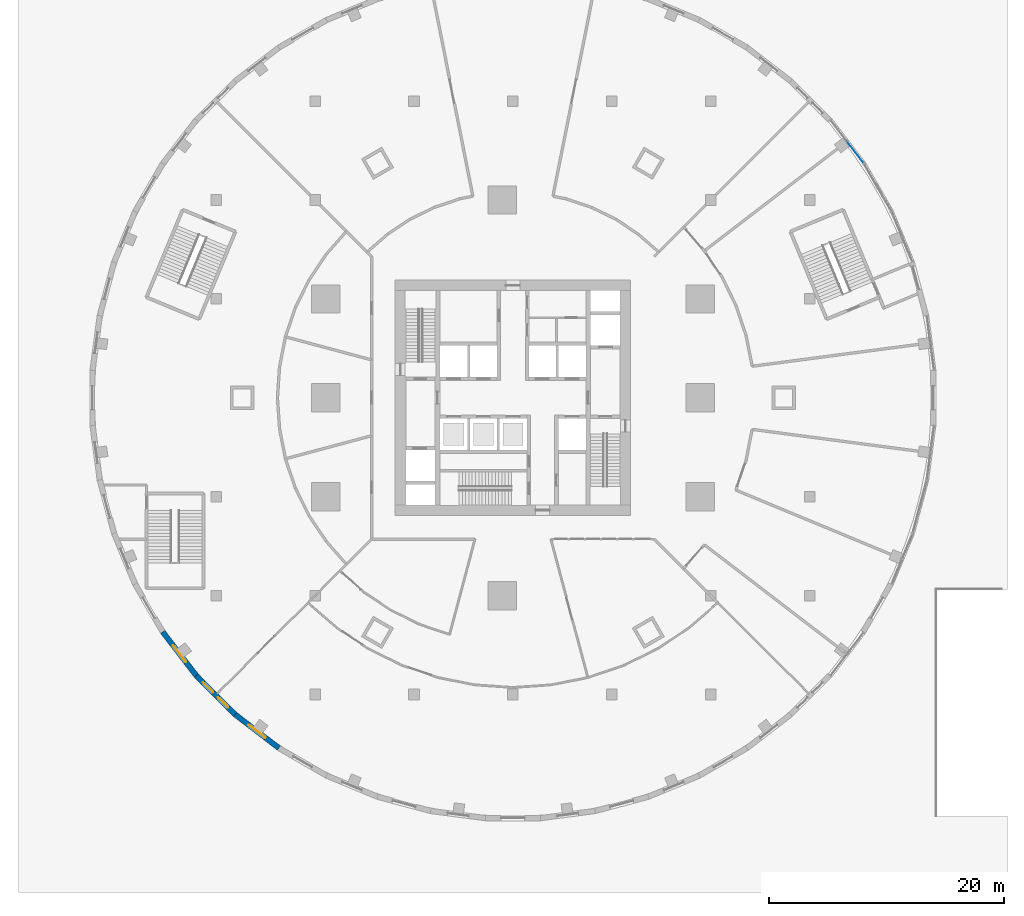
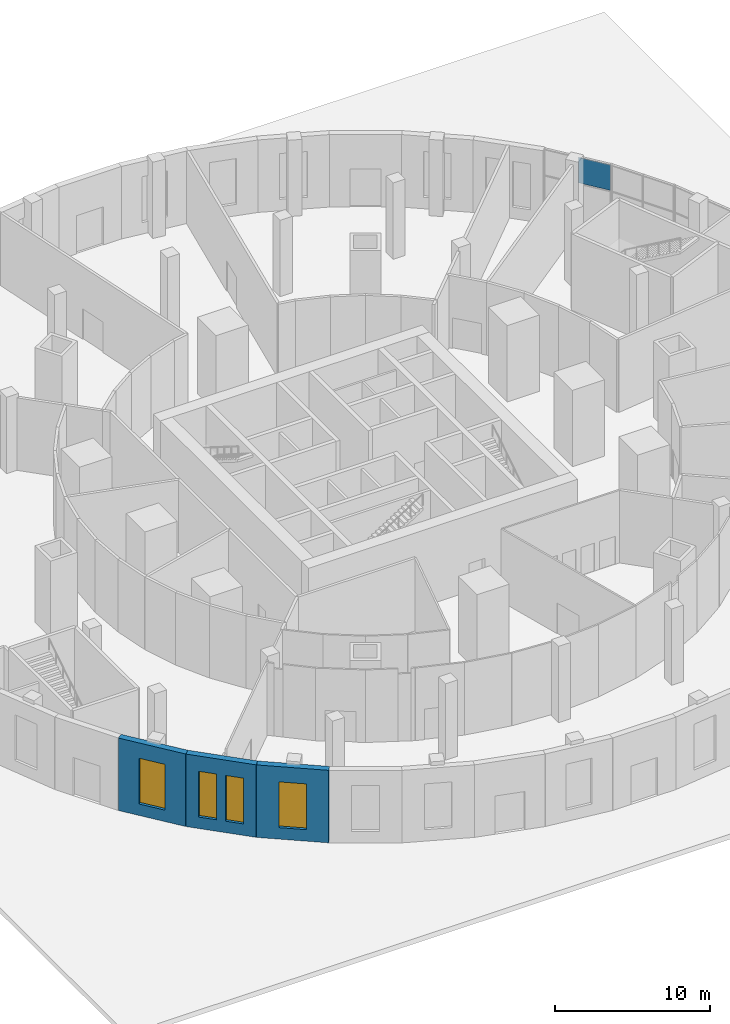
# One storey, part 7 of 19: 4 windows, 3 walls, 1 plate, 4 openings, 1 element without a shape of its own.
"""IFC4 building model written with IfcOpenShell, lengths in metres."""

from ifc_helpers import new_model, si_unit, direction, frame, frame_2d, origin, origin_2d, place, context, subcontext, project, spatial, rectangle, extrude, material, layer, layer_set, type_object, element, fill, aggregate, save


model = new_model("IFC4")

# Units and contexts
model_context = context("Model", 3, precision=1e-05, world=origin(), true_north=direction((0.0, 1.0)))
body_context = subcontext(model_context, "Body", "Model", "MODEL_VIEW")
ifc_project = project(units=[si_unit("LENGTHUNIT", "METRE"), si_unit("AREAUNIT", "SQUARE_METRE"), si_unit("VOLUMEUNIT", "CUBIC_METRE"), si_unit("PLANEANGLEUNIT", "RADIAN"), si_unit("MASSUNIT", "GRAM", prefix="KILO")], contexts=[model_context])

# Site, building, storey
site_placement = place(None, origin())
site = spatial("IfcSite", under=ifc_project, at=site_placement, CompositionType="ELEMENT")
building_placement = place(site_placement, origin())
building = spatial("IfcBuilding", under=site, at=building_placement, Name="Golbaran Civic Tower", CompositionType="ELEMENT")
storey_placement = place(building_placement, origin())
storey = spatial("IfcBuildingStorey", under=building, at=storey_placement, Name="L00", CompositionType="ELEMENT", Elevation=0.0)

# Curtain wall, plate
ifc_material_1 = material(Name="Aluminium and glass", Category="aluminium")
curtain_wall_type = type_object("IfcCurtainWallType", Name="PODIUM GLAZED SCREEN", PredefinedType="NOTDEFINED", material=ifc_material_1)
curtain_wall_placement = place(storey_placement, origin())
curtain_wall = element("IfcCurtainWall", 1, at=curtain_wall_placement, inside=storey, type_object=curtain_wall_type, Name="Public service hall screen facet 5 CW5", ObjectType="PODIUM SCREEN", PredefinedType="USERDEFINED")
ifc_material_2 = material(Name="Clear insulating glass", Category="glass")
ifc_layer_1 = layer(ifc_material_2, 0.031982421875, Name="Clear insulating glass")
ifc_layer_set_1 = layer_set([ifc_layer_1], Name="Clear insulating glass")
plate_type = type_object("IfcPlateType", Name="PODIUM GLAZED SCREEN GLAZED PANEL", PredefinedType="CURTAIN_PANEL", material=ifc_layer_set_1)
plate_placement = place(storey_placement, frame((29.072998046875, 20.853515625, 3.635009765625), z_axis=(0.0, 0.0, 1.0), x_axis=(-0.608761429078, 0.793353340238, 0.0)))
plate = element("IfcPlate", 2, at=plate_placement, type_object=plate_type, Name="CW5 panel 1.2", PredefinedType="CURTAIN_PANEL", context=body_context, shape_type="SweptSolid", body=[
    extrude(rectangle(XDim=2.23876953125, YDim=0.031982421875, at=origin_2d()), origin(), (0.0, 0.0, 1.0), 1.9951171875),
])
aggregate(curtain_wall, [plate])

# Wall, opening, window
ifc_material_3 = material(Name="Terracotta brick", Category="masonry")
ifc_layer_2 = layer(ifc_material_3, 0.449951171875, Name="Terracotta brick")
ifc_layer_set_2 = layer_set([ifc_layer_2], Name="Terracotta brick")
wall_type = type_object("IfcWallType", Name="TERRACOTTA BRICK FACADE WALL 450", PredefinedType="SOLIDWALL", material=ifc_layer_set_2)
wall_1_placement = place(storey_placement, frame((-29.745849609375, -19.87548828125, 0.0), z_axis=(0.0, 0.0, 1.0), x_axis=(0.608769916927, -0.79334682721, 0.0)))
wall_1 = element("IfcWall", 3, at=wall_1_placement, inside=storey, type_object=wall_type, Name="Podium wall L00 facet 29", PredefinedType="SOLIDWALL", context=body_context, shape_type="SweptSolid", body=[
    extrude(rectangle(XDim=4.6796875, YDim=0.449951171875, at=frame_2d((2.33984375, 0.0))), origin(), (0.0, 0.0, 1.0), 5.699951171875),
])
opening_1_placement = place(wall_1_placement, frame((1.439697265625, 0.0, 0.89990234375)))
opening_1 = element("IfcOpeningElement", 4, at=opening_1_placement, cuts=wall_1, Name="Opening L00.W19", PredefinedType="OPENING", context=body_context, shape_type="SweptSolid", body=[
    extrude(rectangle(XDim=1.800048828125, YDim=3.60009765625, at=frame_2d((0.89990234375, 1.800048828125))), frame((0.0, 0.23486328125, 0.0), z_axis=(0.0, -1.0, 0.0), x_axis=(1.0, 0.0, 0.0)), (0.0, 0.0, 1.0), 0.469970703125),
])
ifc_material_4 = material(Name="Aluminium frame, clear glass", Category="aluminium")
window_type_1 = type_object("IfcWindowType", Name="PODIUM WINDOW 1800x3600", PartitioningType="SINGLE_PANEL", PredefinedType="WINDOW", material=ifc_material_4)
window_1_placement = place(opening_1_placement, origin())
window_1 = element("IfcWindow", 5, at=window_1_placement, inside=storey, type_object=window_type_1, Name="Podium window L00 facet 29", OverallHeight=3.60009765625, OverallWidth=1.800048828125, PartitioningType="SINGLE_PANEL", PredefinedType="WINDOW", context=body_context, shape_type="SweptSolid", body=[
    extrude(rectangle(XDim=1.800048828125, YDim=3.60009765625, at=frame_2d((0.89990234375, 1.800048828125))), frame((0.0, 0.030029296875, 0.0), z_axis=(0.0, -1.0, 0.0), x_axis=(1.0, 0.0, 0.0)), (0.0, 0.0, 1.0), 0.06005859375),
])
fill(opening_1, window_1)

# Wall, openings, windows
wall_2_placement = place(storey_placement, frame((-26.89697265625, -23.588134765625, 0.0), z_axis=(0.0, 0.0, 1.0), x_axis=(0.707106781187, -0.707106781187, 0.0)))
wall_2 = element("IfcWall", 6, at=wall_2_placement, inside=storey, type_object=wall_type, Name="Podium wall L00 facet 30", PredefinedType="SOLIDWALL", context=body_context, shape_type="SweptSolid", body=[
    extrude(rectangle(XDim=4.679443359375, YDim=0.449951171875, at=frame_2d((2.33984375, 0.0))), origin(), (0.0, 0.0, 1.0), 5.699951171875),
])
opening_2_placement = place(wall_2_placement, frame((0.840087890625, 0.0, 0.89990234375)))
opening_2 = element("IfcOpeningElement", 7, at=opening_2_placement, cuts=wall_2, Name="Opening L00.W20", PredefinedType="OPENING", context=body_context, shape_type="SweptSolid", body=[
    extrude(rectangle(XDim=1.199951171875, YDim=3.60009765625, at=frame_2d((0.60009765625, 1.800048828125))), frame((0.0, 0.23486328125, 0.0), z_axis=(0.0, -1.0, 0.0), x_axis=(1.0, 0.0, 0.0)), (0.0, 0.0, 1.0), 0.469970703125),
])
opening_3_placement = place(wall_2_placement, frame((2.639892578125, 0.0, 0.89990234375)))
opening_3 = element("IfcOpeningElement", 8, at=opening_3_placement, cuts=wall_2, Name="Opening L00.W21", PredefinedType="OPENING", context=body_context, shape_type="SweptSolid", body=[
    extrude(rectangle(XDim=1.199951171875, YDim=3.60009765625, at=frame_2d((0.60009765625, 1.800048828125))), frame((0.0, 0.23486328125, 0.0), z_axis=(0.0, -1.0, 0.0), x_axis=(1.0, 0.0, 0.0)), (0.0, 0.0, 1.0), 0.469970703125),
])
window_type_2 = type_object("IfcWindowType", Name="PODIUM PAIRED WINDOW 1200x3600", PartitioningType="SINGLE_PANEL", PredefinedType="WINDOW", material=ifc_material_4)
window_2_placement = place(opening_2_placement, origin())
window_2 = element("IfcWindow", 9, at=window_2_placement, inside=storey, type_object=window_type_2, Name="Podium window L00 facet 30a", OverallHeight=3.60009765625, OverallWidth=1.199951171875, PartitioningType="SINGLE_PANEL", PredefinedType="WINDOW", context=body_context, shape_type="SweptSolid", body=[
    extrude(rectangle(XDim=1.199951171875, YDim=3.60009765625, at=frame_2d((0.60009765625, 1.800048828125))), frame((0.0, 0.030029296875, 0.0), z_axis=(0.0, -1.0, 0.0), x_axis=(1.0, 0.0, 0.0)), (0.0, 0.0, 1.0), 0.06005859375),
])
fill(opening_2, window_2)
window_3_placement = place(opening_3_placement, origin())
window_3 = element("IfcWindow", 10, at=window_3_placement, inside=storey, type_object=window_type_2, Name="Podium window L00 facet 30b", OverallHeight=3.60009765625, OverallWidth=1.199951171875, PartitioningType="SINGLE_PANEL", PredefinedType="WINDOW", context=body_context, shape_type="SweptSolid", body=[
    extrude(rectangle(XDim=1.199951171875, YDim=3.60009765625, at=frame_2d((0.60009765625, 1.800048828125))), frame((0.0, 0.030029296875, 0.0), z_axis=(0.0, -1.0, 0.0), x_axis=(1.0, 0.0, 0.0)), (0.0, 0.0, 1.0), 0.06005859375),
])
fill(opening_3, window_3)

# Wall, opening, window
wall_3_placement = place(storey_placement, frame((-23.588134765625, -26.89697265625, 0.0), z_axis=(0.0, 0.0, 1.0), x_axis=(0.79334682721, -0.608769916927, 0.0)))
wall_3 = element("IfcWall", 11, at=wall_3_placement, inside=storey, type_object=wall_type, Name="Podium wall L00 facet 31", PredefinedType="SOLIDWALL", context=body_context, shape_type="SweptSolid", body=[
    extrude(rectangle(XDim=4.6796875, YDim=0.449951171875, at=frame_2d((2.33984375, 0.0))), origin(), (0.0, 0.0, 1.0), 5.699951171875),
])
opening_4_placement = place(wall_3_placement, frame((1.439697265625, 0.0, 0.89990234375)))
opening_4 = element("IfcOpeningElement", 12, at=opening_4_placement, cuts=wall_3, Name="Opening L00.W22", PredefinedType="OPENING", context=body_context, shape_type="SweptSolid", body=[
    extrude(rectangle(XDim=1.800048828125, YDim=3.60009765625, at=frame_2d((0.89990234375, 1.800048828125))), frame((0.0, 0.23486328125, 0.0), z_axis=(0.0, -1.0, 0.0), x_axis=(1.0, 0.0, 0.0)), (0.0, 0.0, 1.0), 0.469970703125),
])
window_4_placement = place(opening_4_placement, origin())
window_4 = element("IfcWindow", 13, at=window_4_placement, inside=storey, type_object=window_type_1, Name="Podium window L00 facet 31", OverallHeight=3.60009765625, OverallWidth=1.800048828125, PartitioningType="SINGLE_PANEL", PredefinedType="WINDOW", context=body_context, shape_type="SweptSolid", body=[
    extrude(rectangle(XDim=1.800048828125, YDim=3.60009765625, at=frame_2d((0.89990234375, 1.800048828125))), frame((0.0, 0.030029296875, 0.0), z_axis=(0.0, -1.0, 0.0), x_axis=(1.0, 0.0, 0.0)), (0.0, 0.0, 1.0), 0.06005859375),
])
fill(opening_4, window_4)

save(model, "model.ifc")
